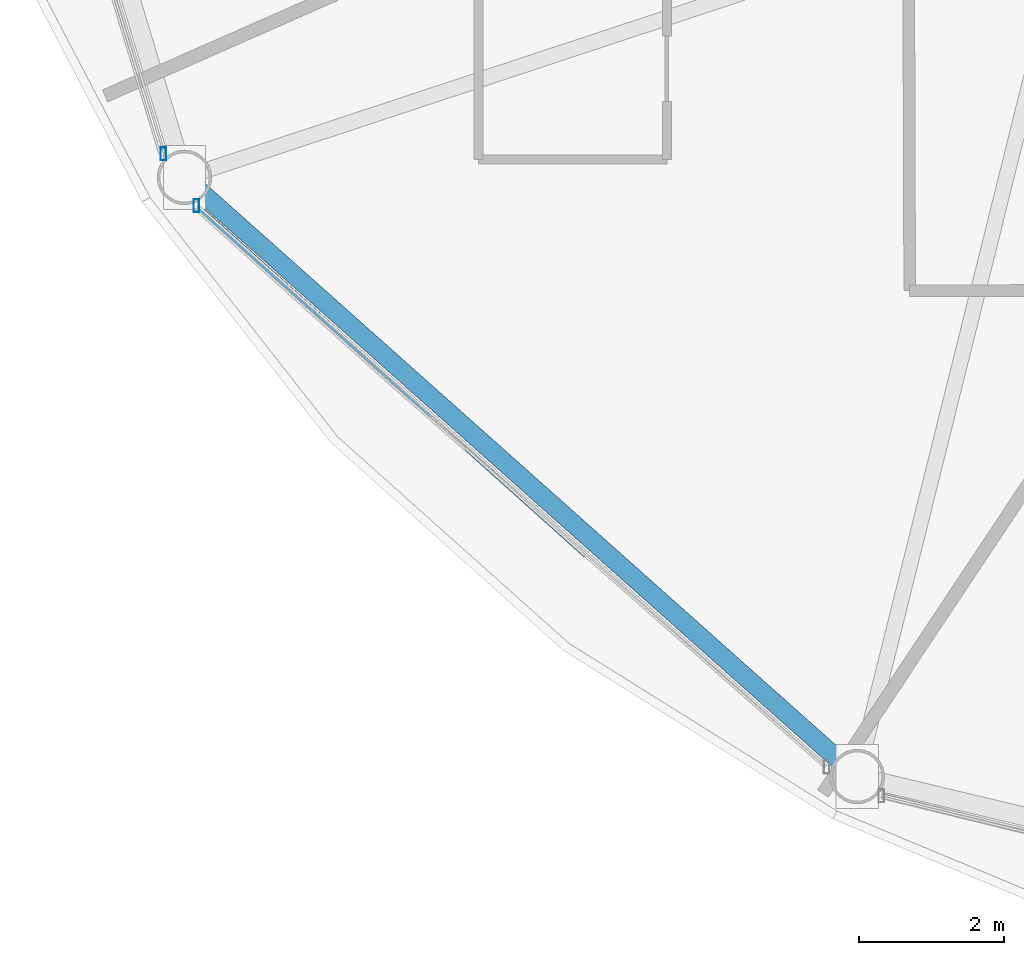
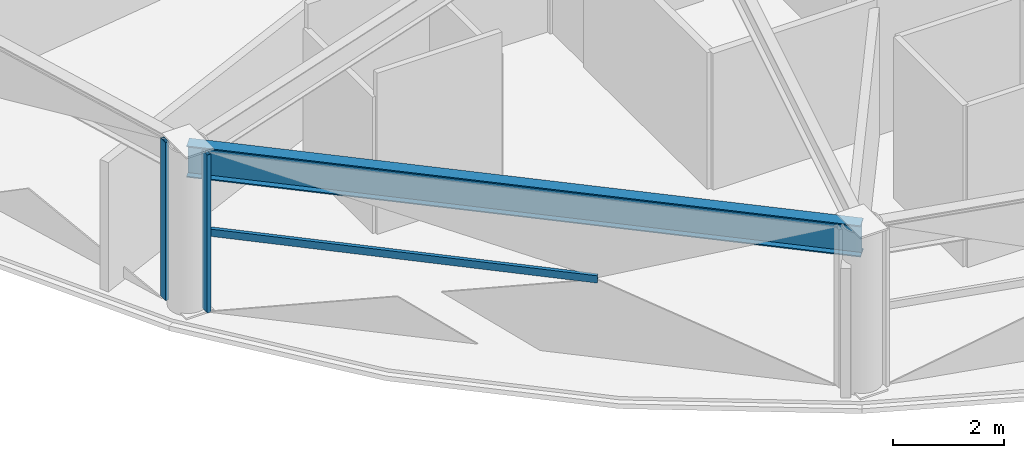
# One storey, part 3 of 31: 3 members, 1 beam, 2 elements without a shape of their own.
"""IFC4 building model written with IfcOpenShell, lengths in metres."""

from ifc_helpers import new_model, si_unit, direction, frame, origin, origin_2d, place, context, subcontext, project, spatial, hollow_rectangle, i_section, extrude, material, layer, layer_set, material_profile, profile_set, type_object, element, aggregate, save


model = new_model("IFC4")

# Units and contexts
model_context = context("Model", 3, precision=1e-05, world=origin(), true_north=direction((0.0, 1.0)))
body_context = subcontext(model_context, "Body", "Model", "MODEL_VIEW")
ifc_project = project(units=[si_unit("LENGTHUNIT", "METRE"), si_unit("AREAUNIT", "SQUARE_METRE"), si_unit("VOLUMEUNIT", "CUBIC_METRE"), si_unit("PLANEANGLEUNIT", "RADIAN"), si_unit("MASSUNIT", "GRAM", prefix="KILO")], contexts=[model_context])

# Site, building, storey
site_placement = place(None, origin())
site = spatial("IfcSite", under=ifc_project, at=site_placement, CompositionType="ELEMENT")
building_placement = place(site_placement, origin())
building = spatial("IfcBuilding", under=site, at=building_placement, Name="Vantalir Tower", CompositionType="ELEMENT")
storey_placement = place(building_placement, frame((0.0, 0.0, 123.449951171875)))
storey = spatial("IfcBuildingStorey", under=building, at=storey_placement, Name="L30", CompositionType="ELEMENT", Elevation=123.449951171875)

# Beam
ifc_material_1 = material(Name="Steel S460", Category="steel")
ifc_material_profile_1 = material_profile(ifc_material_1, i_section(OverallWidth=0.256103515625, OverallDepth=0.693115234375, WebThickness=0.014404296875, FlangeThickness=0.023681640625, at=origin_2d()), Name="Steel S460")
ifc_profile_set_1 = profile_set([ifc_material_profile_1], Name="Steel S460")
beam_type = type_object("IfcBeamType", Name="BM-RG-686x254", PredefinedType="USERDEFINED", material=ifc_profile_set_1)
beam_placement = place(storey_placement, frame((9.554931640625, 13.717041015625, 3.22314453125), z_axis=(0.746791899704, -0.665057785862, 0.0), x_axis=(0.665057785862, 0.746791899704, 0.0)))
element("IfcBeam", 1, at=beam_placement, inside=storey, type_object=beam_type, Name="L30 Circumferential Ring Girder 08", ObjectType="GIRDER", PredefinedType="USERDEFINED", context=body_context, shape_type="SweptSolid", body=[
    extrude(i_section(OverallWidth=0.256103515625, OverallDepth=0.693115234375, WebThickness=0.014404296875, FlangeThickness=0.023681640625, at=origin_2d()), origin(), (0.0, 0.0, 1.0), 12.419921875),
])

# Curtain wall, member
ifc_material_2 = material(Name="Champagne-silver PVDF aluminium and double-silver Low-E glass", Category="aluminium")
ifc_layer = layer(ifc_material_2, 0.199951171875)
ifc_layer_set = layer_set([ifc_layer], Name="Champagne-silver PVDF aluminium and double-silver Low-E glass")
curtain_wall_type = type_object("IfcCurtainWallType", Name="CW-DIAMOND-Z2", PredefinedType="USERDEFINED", material=ifc_layer_set)
curtain_wall_1_placement = place(storey_placement, origin())
curtain_wall_1 = element("IfcCurtainWall", 2, at=curtain_wall_1_placement, inside=storey, type_object=curtain_wall_type, Name="L30 Quilted Pyramid-Diamond Curtain Wall S07", ObjectType="UNITISED CURTAIN WALL", PredefinedType="USERDEFINED")
ifc_material_3 = material(Name="Champagne-silver PVDF aluminium 6063-T6", Category="aluminium")
ifc_material_profile_2 = material_profile(ifc_material_3, hollow_rectangle(XDim=0.074951171875, YDim=0.179931640625, WallThickness=0.00390625, at=origin_2d()), Name="Champagne-silver PVDF aluminium 6063-T6")
ifc_profile_set_2 = profile_set([ifc_material_profile_2], Name="Champagne-silver PVDF aluminium 6063-T6")
member_type_1 = type_object("IfcMemberType", Name="CWM-180x75", PredefinedType="MULLION", material=ifc_profile_set_2)
member_1_placement = place(storey_placement, frame((9.262939453125, 14.04296875, 0.045166015625), z_axis=(0.0, 0.0, 1.0), x_axis=(1.0, 0.0, 0.0)))
member_1 = element("IfcMember", 3, at=member_1_placement, type_object=member_type_1, Name="CW-L30-S07 Mullion 2", PredefinedType="MULLION", context=body_context, shape_type="SweptSolid", body=[
    extrude(hollow_rectangle(XDim=0.074951171875, YDim=0.179931640625, WallThickness=0.00390625, at=origin_2d()), origin(), (0.0, 0.0, 1.0), 3.47998046875),
])
aggregate(curtain_wall_1, [member_1])

# Curtain wall, members
curtain_wall_2_placement = place(storey_placement, origin())
curtain_wall_2 = element("IfcCurtainWall", 4, at=curtain_wall_2_placement, inside=storey, type_object=curtain_wall_type, Name="L30 Quilted Pyramid-Diamond Curtain Wall S08", ObjectType="UNITISED CURTAIN WALL", PredefinedType="USERDEFINED")
member_2_placement = place(storey_placement, frame((9.718017578125, 13.3291015625, 0.045166015625), z_axis=(0.0, 0.0, 1.0), x_axis=(1.0, 0.0, 0.0)))
member_2 = element("IfcMember", 5, at=member_2_placement, type_object=member_type_1, Name="CW-L30-S08 Mullion 1", PredefinedType="MULLION", context=body_context, shape_type="SweptSolid", body=[
    extrude(hollow_rectangle(XDim=0.074951171875, YDim=0.179931640625, WallThickness=0.00390625, at=origin_2d()), origin(), (0.0, 0.0, 1.0), 3.47998046875),
])
ifc_material_profile_3 = material_profile(ifc_material_3, hollow_rectangle(XDim=0.074951171875, YDim=0.159912109375, WallThickness=0.00390625, at=origin_2d()), Name="Champagne-silver PVDF aluminium 6063-T6")
ifc_profile_set_3 = profile_set([ifc_material_profile_3], Name="Champagne-silver PVDF aluminium 6063-T6")
member_type_2 = type_object("IfcMemberType", Name="CWT-160x75", PredefinedType="USERDEFINED", material=ifc_profile_set_3)
member_3_placement = place(storey_placement, frame((9.718017578125, 13.3291015625, 1.78515625), z_axis=(0.744311290692, -0.667832840273, 0.0), x_axis=(0.667832840273, 0.744311290692, 0.0)))
member_3 = element("IfcMember", 6, at=member_3_placement, type_object=member_type_2, Name="CW-L30-S08 Pyramid Fold Ridge Transom", ObjectType="TRANSOM", PredefinedType="USERDEFINED", context=body_context, shape_type="SweptSolid", body=[
    extrude(hollow_rectangle(XDim=0.074951171875, YDim=0.159912109375, WallThickness=0.00390625, at=origin_2d()), origin(), (0.0, 0.0, 1.0), 7.214599609375),
])
aggregate(curtain_wall_2, [member_2, member_3])

save(model, "model.ifc")
